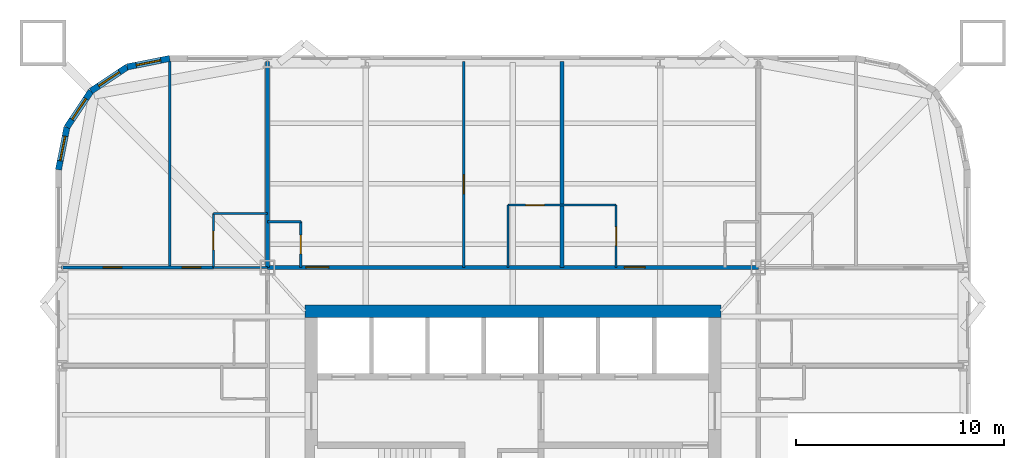
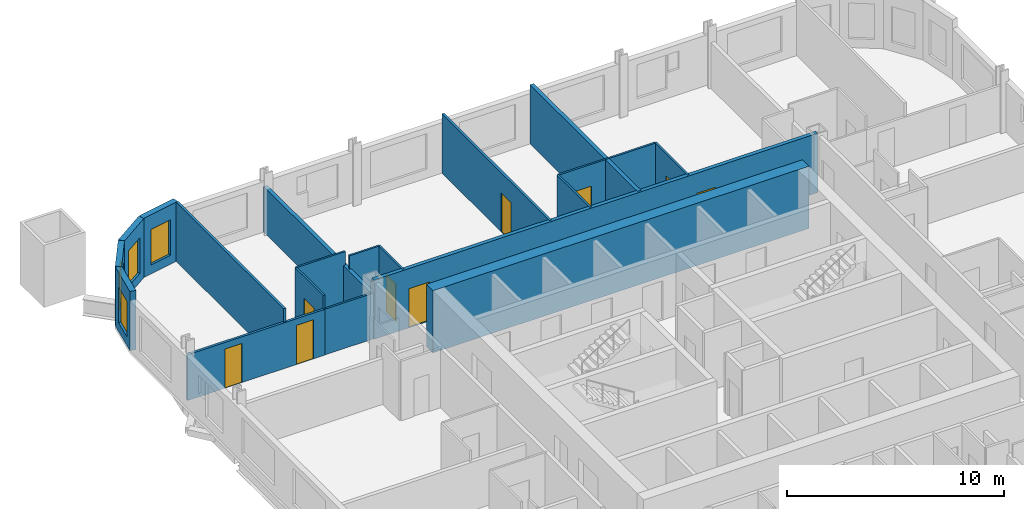
# One storey, part 7 of 10: 19 walls, 9 doors, 4 windows, 13 openings.
"""IFC4 building model written with IfcOpenShell, lengths in metres."""

from ifc_helpers import new_model, si_unit, direction, frame, frame_2d, origin, place, context, subcontext, project, spatial, rectangle, extrude, material, layer, layer_set, type_object, element, fill, save


model = new_model("IFC4")

# Units and contexts
model_context = context("Model", 3, precision=1e-05, world=origin(), true_north=direction((0.0, 1.0)))
body_context = subcontext(model_context, "Body", "Model", "MODEL_VIEW")
ifc_project = project(units=[si_unit("LENGTHUNIT", "METRE"), si_unit("AREAUNIT", "SQUARE_METRE"), si_unit("VOLUMEUNIT", "CUBIC_METRE"), si_unit("PLANEANGLEUNIT", "RADIAN"), si_unit("MASSUNIT", "GRAM", prefix="KILO")], contexts=[model_context])

# Site, building, storey
site_placement = place(None, origin())
site = spatial("IfcSite", under=ifc_project, at=site_placement, CompositionType="ELEMENT")
building_placement = place(site_placement, origin())
building = spatial("IfcBuilding", under=site, at=building_placement, Name="Turquesa Mirador Hotel Tower", CompositionType="ELEMENT")
storey_placement = place(building_placement, frame((0.0, 0.0, 70.5)))
storey = spatial("IfcBuildingStorey", under=building, at=storey_placement, Name="L18", CompositionType="ELEMENT", Elevation=70.5)

# Walls
ifc_material_1 = material(Name="Gypsum board on steel studs", Category="steel")
ifc_layer_1 = layer(ifc_material_1, 0.10009765625)
ifc_layer_set_1 = layer_set([ifc_layer_1], Name="BATHROOM WALL 100")
wall_type_1 = type_object("IfcWallType", Name="BATHROOM WALL 100", PredefinedType="PARTITIONING", material=ifc_layer_set_1)
wall_1_placement = place(storey_placement, frame((40.60009765625, 56.800048828125, 0.0), z_axis=(0.0, 0.0, 1.0), x_axis=(1.0, 0.0, 0.0)))
element("IfcWall", 1, at=wall_1_placement, inside=storey, type_object=wall_type_1, Name="Partition L18 024", PredefinedType="PARTITIONING", context=body_context, shape_type="SweptSolid", body=[
    extrude(rectangle(XDim=2.599853515625, YDim=0.10009765625, at=frame_2d((1.2998046875, 0.0))), origin(), (0.0, 0.0, 1.0), 2.572998046875),
])
wall_2_placement = place(storey_placement, frame((43.199951171875, 59.0, 0.0), z_axis=(0.0, 0.0, 1.0), x_axis=(1.0, 0.0, 0.0)))
element("IfcWall", 2, at=wall_2_placement, inside=storey, type_object=wall_type_1, Name="Partition L18 029", PredefinedType="PARTITIONING", context=body_context, shape_type="SweptSolid", body=[
    extrude(rectangle(XDim=1.60009765625, YDim=0.10009765625, at=frame_2d((0.800048828125, 0.0))), origin(), (0.0, 0.0, 1.0), 3.330078125),
])
wall_3_placement = place(storey_placement, frame((40.60009765625, 59.39990234375, 0.0), z_axis=(0.0, 0.0, 1.0), x_axis=(1.0, 0.0, 0.0)))
element("IfcWall", 3, at=wall_3_placement, inside=storey, type_object=wall_type_1, Name="Partition L18 031", PredefinedType="PARTITIONING", context=body_context, shape_type="SweptSolid", body=[
    extrude(rectangle(XDim=2.599853515625, YDim=0.10009765625, at=frame_2d((1.2998046875, 0.0))), origin(), (0.0, 0.0, 1.0), 3.330078125),
])

# Wall, opening, door
wall_4_placement = place(storey_placement, frame((54.760009765625, 59.800048828125, 0.0), z_axis=(0.0, 0.0, 1.0), x_axis=(1.0, 0.0, 0.0)))
wall_4 = element("IfcWall", 4, at=wall_4_placement, inside=storey, type_object=wall_type_1, Name="Partition L18 033", PredefinedType="PARTITIONING", context=body_context, shape_type="SweptSolid", body=[
    extrude(rectangle(XDim=5.199951171875, YDim=0.10009765625, at=frame_2d((2.60009765625, 0.0))), origin(), (0.0, 0.0, 1.0), 3.330078125),
])
opening_1_placement = place(wall_4_placement, frame((0.85009765625, 0.0, 0.0)))
opening_1 = element("IfcOpeningElement", 5, at=opening_1_placement, cuts=wall_4, Name="Opening D02", PredefinedType="OPENING", context=body_context, shape_type="SweptSolid", body=[
    extrude(rectangle(XDim=0.89990234375, YDim=2.10009765625, at=frame_2d((0.449951171875, 1.050048828125))), frame((0.0, 0.06005859375, 0.0), z_axis=(0.0, -1.0, 0.0), x_axis=(1.0, 0.0, 0.0)), (0.0, 0.0, 1.0), 0.1201171875),
])
ifc_material_2 = material(Name="Timber veneered door", Category="wood")
door_type_1 = type_object("IfcDoorType", Name="DOOR 900X2100 EN-SUITE", OperationType="SINGLE_SWING_RIGHT", PredefinedType="DOOR", material=ifc_material_2)
door_1_placement = place(opening_1_placement, origin())
door_1 = element("IfcDoor", 6, at=door_1_placement, inside=storey, type_object=door_type_1, Name="Door 1801B", OperationType="SINGLE_SWING_RIGHT", OverallHeight=2.10009765625, OverallWidth=0.89990234375, PredefinedType="DOOR", context=body_context, shape_type="SweptSolid", body=[
    extrude(rectangle(XDim=0.89990234375, YDim=2.10009765625, at=frame_2d((0.449951171875, 1.050048828125))), frame((0.0, 0.02490234375, 0.0), z_axis=(0.0, -1.0, 0.0), x_axis=(1.0, 0.0, 0.0)), (0.0, 0.0, 1.0), 0.050048828125),
])
fill(opening_1, door_1)

# Wall
wall_5_placement = place(storey_placement, frame((54.760009765625, 56.800048828125, 0.0), z_axis=(0.0, 0.0, 1.0), x_axis=(0.0, 1.0, 0.0)))
element("IfcWall", 7, at=wall_5_placement, inside=storey, type_object=wall_type_1, Name="Partition L18 040", PredefinedType="PARTITIONING", context=body_context, shape_type="SweptSolid", body=[
    extrude(rectangle(XDim=3.0, YDim=0.10009765625, at=frame_2d((1.5, 0.0))), origin(), (0.0, 0.0, 1.0), 3.330078125),
])

# Wall, opening, door
wall_6_placement = place(storey_placement, frame((44.800048828125, 56.800048828125, 0.0), z_axis=(0.0, 0.0, 1.0), x_axis=(0.0, 1.0, 0.0)))
wall_6 = element("IfcWall", 8, at=wall_6_placement, inside=storey, type_object=wall_type_1, Name="Partition L18 042", PredefinedType="PARTITIONING", context=body_context, shape_type="SweptSolid", body=[
    extrude(rectangle(XDim=2.199951171875, YDim=0.10009765625, at=frame_2d((1.10009765625, 0.0))), origin(), (0.0, 0.0, 1.0), 3.330078125),
])
opening_2_placement = place(wall_6_placement, frame((0.64990234375, 0.0, 0.0)))
opening_2 = element("IfcOpeningElement", 9, at=opening_2_placement, cuts=wall_6, Name="Opening D06", PredefinedType="OPENING", context=body_context, shape_type="SweptSolid", body=[
    extrude(rectangle(XDim=0.89990234375, YDim=2.10009765625, at=frame_2d((0.449951171875, 1.050048828125))), frame((0.0, 0.06005859375, 0.0), z_axis=(0.0, -1.0, 0.0), x_axis=(1.0, 0.0, 0.0)), (0.0, 0.0, 1.0), 0.1201171875),
])
ifc_material_3 = material(Name="Laminate door", Category="wood")
door_type_2 = type_object("IfcDoorType", Name="DOOR 900X2100 WC", OperationType="SINGLE_SWING_LEFT", PredefinedType="DOOR", material=ifc_material_3)
door_2_placement = place(opening_2_placement, origin())
door_2 = element("IfcDoor", 10, at=door_2_placement, inside=storey, type_object=door_type_2, Name="Door 1801W", OperationType="SINGLE_SWING_LEFT", OverallHeight=2.10009765625, OverallWidth=0.89990234375, PredefinedType="DOOR", context=body_context, shape_type="SweptSolid", body=[
    extrude(rectangle(XDim=0.89990234375, YDim=2.10009765625, at=frame_2d((0.449951171875, 1.050048828125))), frame((0.0, 0.02490234375, 0.0), z_axis=(0.0, -1.0, 0.0), x_axis=(1.0, 0.0, 0.0)), (0.0, 0.0, 1.0), 0.050048828125),
])
fill(opening_2, door_2)

wall_7_placement = place(storey_placement, frame((40.60009765625, 56.800048828125, 0.0), z_axis=(0.0, 0.0, 1.0), x_axis=(0.0, 1.0, 0.0)))
wall_7 = element("IfcWall", 11, at=wall_7_placement, inside=storey, type_object=wall_type_1, Name="Partition L18 049", PredefinedType="PARTITIONING", context=body_context, shape_type="SweptSolid", body=[
    extrude(rectangle(XDim=2.599853515625, YDim=0.10009765625, at=frame_2d((1.2998046875, 0.0))), origin(), (0.0, 0.0, 1.0), 3.330078125),
])
opening_3_placement = place(wall_7_placement, frame((0.85009765625, 0.0, 0.0)))
opening_3 = element("IfcOpeningElement", 12, at=opening_3_placement, cuts=wall_7, Name="Opening D02", PredefinedType="OPENING", context=body_context, shape_type="SweptSolid", body=[
    extrude(rectangle(XDim=0.89990234375, YDim=2.10009765625, at=frame_2d((0.449951171875, 1.050048828125))), frame((0.0, 0.06005859375, 0.0), z_axis=(0.0, -1.0, 0.0), x_axis=(1.0, 0.0, 0.0)), (0.0, 0.0, 1.0), 0.1201171875),
])
door_3_placement = place(opening_3_placement, origin())
door_3 = element("IfcDoor", 13, at=door_3_placement, inside=storey, type_object=door_type_1, Name="Door 1813B", OperationType="SINGLE_SWING_RIGHT", OverallHeight=2.10009765625, OverallWidth=0.89990234375, PredefinedType="DOOR", context=body_context, shape_type="SweptSolid", body=[
    extrude(rectangle(XDim=0.89990234375, YDim=2.10009765625, at=frame_2d((0.449951171875, 1.050048828125))), frame((0.0, 0.02490234375, 0.0), z_axis=(0.0, -1.0, 0.0), x_axis=(1.0, 0.0, 0.0)), (0.0, 0.0, 1.0), 0.050048828125),
])
fill(opening_3, door_3)

wall_8_placement = place(storey_placement, frame((59.9599609375, 56.800048828125, 0.0), z_axis=(0.0, 0.0, 1.0), x_axis=(0.0, 1.0, 0.0)))
wall_8 = element("IfcWall", 14, at=wall_8_placement, inside=storey, type_object=wall_type_1, Name="Partition L18 076", PredefinedType="PARTITIONING", context=body_context, shape_type="SweptSolid", body=[
    extrude(rectangle(XDim=3.0, YDim=0.10009765625, at=frame_2d((1.5, 0.0))), origin(), (0.0, 0.0, 1.0), 3.330078125),
])
opening_4_placement = place(wall_8_placement, frame((1.050048828125, 0.0, 0.0)))
opening_4 = element("IfcOpeningElement", 15, at=opening_4_placement, cuts=wall_8, Name="Opening D02", PredefinedType="OPENING", context=body_context, shape_type="SweptSolid", body=[
    extrude(rectangle(XDim=0.89990234375, YDim=2.10009765625, at=frame_2d((0.449951171875, 1.050048828125))), frame((0.0, 0.06005859375, 0.0), z_axis=(0.0, -1.0, 0.0), x_axis=(1.0, 0.0, 0.0)), (0.0, 0.0, 1.0), 0.1201171875),
])
door_4_placement = place(opening_4_placement, origin())
door_4 = element("IfcDoor", 16, at=door_4_placement, inside=storey, type_object=door_type_1, Name="Door 1802B", OperationType="SINGLE_SWING_RIGHT", OverallHeight=2.10009765625, OverallWidth=0.89990234375, PredefinedType="DOOR", context=body_context, shape_type="SweptSolid", body=[
    extrude(rectangle(XDim=0.89990234375, YDim=2.10009765625, at=frame_2d((0.449951171875, 1.050048828125))), frame((0.0, 0.02490234375, 0.0), z_axis=(0.0, -1.0, 0.0), x_axis=(1.0, 0.0, 0.0)), (0.0, 0.0, 1.0), 0.050048828125),
])
fill(opening_4, door_4)

# Wall
ifc_material_4 = material(Name="Concrete C50/60", Category="concrete")
ifc_layer_2 = layer(ifc_material_4, 0.60009765625)
ifc_layer_set_2 = layer_set([ifc_layer_2], Name="CORE WALL 600")
wall_type_2 = type_object("IfcWallType", Name="CORE WALL 600", PredefinedType="SHEAR", material=ifc_layer_set_2)
wall_9_placement = place(storey_placement, frame((45.0, 54.699951171875, 0.0), z_axis=(0.0, 0.0, 1.0), x_axis=(1.0, 0.0, 0.0)))
element("IfcWall", 17, at=wall_9_placement, inside=storey, type_object=wall_type_2, Name="Core wall N", PredefinedType="SHEAR", context=body_context, shape_type="SweptSolid", body=[
    extrude(rectangle(XDim=20.0, YDim=0.60009765625, at=frame_2d((10.0, 0.0))), origin(), (0.0, 0.0, 1.0), 3.5),
])

# Wall, openings, doors
ifc_material_5 = material(Name="Fire-rated gypsum board on steel studs", Category="steel")
ifc_layer_3 = layer(ifc_material_5, 0.199951171875)
ifc_layer_set_3 = layer_set([ifc_layer_3], Name="CORRIDOR WALL 200")
wall_type_3 = type_object("IfcWallType", Name="CORRIDOR WALL 200", PredefinedType="PARTITIONING", material=ifc_layer_set_3)
wall_10_placement = place(storey_placement, frame((43.199951171875, 56.800048828125, 0.0), z_axis=(0.0, 0.0, 1.0), x_axis=(1.0, 0.0, 0.0)))
wall_10 = element("IfcWall", 18, at=wall_10_placement, inside=storey, type_object=wall_type_3, Name="Partition L18 026", PredefinedType="PARTITIONING", context=body_context, shape_type="SweptSolid", body=[
    extrude(rectangle(XDim=23.60009765625, YDim=0.199951171875, at=frame_2d((11.800048828125, 0.0))), origin(), (0.0, 0.0, 1.0), 3.330078125),
])
opening_5_placement = place(wall_10_placement, frame((1.85009765625, 0.0, 0.0)))
opening_5 = element("IfcOpeningElement", 19, at=opening_5_placement, cuts=wall_10, Name="Opening D15", PredefinedType="OPENING", context=body_context, shape_type="SweptSolid", body=[
    extrude(rectangle(XDim=1.10009765625, YDim=2.199951171875, at=frame_2d((0.550048828125, 1.10009765625))), frame((0.0, 0.10986328125, 0.0), z_axis=(0.0, -1.0, 0.0), x_axis=(1.0, 0.0, 0.0)), (0.0, 0.0, 1.0), 0.219970703125),
])
opening_6_placement = place(wall_10_placement, frame((17.159912109375, 0.0, 0.0)))
opening_6 = element("IfcOpeningElement", 20, at=opening_6_placement, cuts=wall_10, Name="Opening D01", PredefinedType="OPENING", context=body_context, shape_type="SweptSolid", body=[
    extrude(rectangle(XDim=1.0, YDim=2.199951171875, at=frame_2d((0.5, 1.10009765625))), frame((0.0, 0.10986328125, 0.0), z_axis=(0.0, -1.0, 0.0), x_axis=(1.0, 0.0, 0.0)), (0.0, 0.0, 1.0), 0.219970703125),
])
ifc_material_6 = material(Name="Timber veneered fire door", Category="wood")
door_type_3 = type_object("IfcDoorType", Name="DOOR 1000X2200 GUEST ENTRY", OperationType="SINGLE_SWING_LEFT", PredefinedType="DOOR", material=ifc_material_6)
door_5_placement = place(opening_6_placement, origin())
door_5 = element("IfcDoor", 21, at=door_5_placement, inside=storey, type_object=door_type_3, Name="Door 1802", OperationType="SINGLE_SWING_LEFT", OverallHeight=2.199951171875, OverallWidth=1.0, PredefinedType="DOOR", context=body_context, shape_type="SweptSolid", body=[
    extrude(rectangle(XDim=1.0, YDim=2.199951171875, at=frame_2d((0.5, 1.10009765625))), frame((0.0, 0.02490234375, 0.0), z_axis=(0.0, -1.0, 0.0), x_axis=(1.0, 0.0, 0.0)), (0.0, 0.0, 1.0), 0.050048828125),
])
fill(opening_6, door_5)
ifc_material_7 = material(Name="Timber veneered fire door", Category="wood")
door_type_4 = type_object("IfcDoorType", Name="DOOR 1100X2200 SUITE ENTRY", OperationType="SINGLE_SWING_LEFT", PredefinedType="DOOR", material=ifc_material_7)
door_6_placement = place(opening_5_placement, origin())
door_6 = element("IfcDoor", 22, at=door_6_placement, inside=storey, type_object=door_type_4, Name="Door 1801", OperationType="SINGLE_SWING_LEFT", OverallHeight=2.199951171875, OverallWidth=1.10009765625, PredefinedType="DOOR", context=body_context, shape_type="SweptSolid", body=[
    extrude(rectangle(XDim=1.10009765625, YDim=2.199951171875, at=frame_2d((0.550048828125, 1.10009765625))), frame((0.0, 0.02490234375, 0.0), z_axis=(0.0, -1.0, 0.0), x_axis=(1.0, 0.0, 0.0)), (0.0, 0.0, 1.0), 0.050048828125),
])
fill(opening_5, door_6)

# Wall, opening, window
ifc_material_8 = material(Name="Limestone cladding on concrete block", Category="masonry")
ifc_layer_4 = layer(ifc_material_8, 0.300048828125)
ifc_layer_set_4 = layer_set([ifc_layer_4], Name="FACADE WALL 300 STONE SCREEN")
wall_type_4 = type_object("IfcWallType", Name="FACADE WALL 300 STONE SCREEN", PredefinedType="SOLIDWALL", material=ifc_layer_set_4)
wall_11_placement = place(storey_placement, frame((38.5, 66.85009765625, 0.0), z_axis=(0.0, 0.0, 1.0), x_axis=(-0.980787050784, -0.195081421501, 0.0)))
wall_11 = element("IfcWall", 23, at=wall_11_placement, inside=storey, type_object=wall_type_4, Name="Facade wall L18 10", PredefinedType="SOLIDWALL", context=body_context, shape_type="SweptSolid", body=[
    extrude(rectangle(XDim=2.08740234375, YDim=0.300048828125, at=frame_2d((1.043701171875, 0.0))), origin(), (0.0, 0.0, 1.0), 3.330078125),
])
opening_7_placement = place(wall_11_placement, frame((0.443603515625, 0.0, 0.5)))
opening_7 = element("IfcOpeningElement", 24, at=opening_7_placement, cuts=wall_11, Name="Opening WN4", PredefinedType="OPENING", context=body_context, shape_type="SweptSolid", body=[
    extrude(rectangle(XDim=1.199951171875, YDim=2.0, at=frame_2d((0.60009765625, 1.0))), frame((0.0, 0.159912109375, 0.0), z_axis=(0.0, -1.0, 0.0), x_axis=(1.0, 0.0, 0.0)), (0.0, 0.0, 1.0), 0.320068359375),
])
ifc_material_9 = material(Name="Ceramic-fritted laminated glass", Category="glass")
window_type = type_object("IfcWindowType", Name="FRITTED CORNER WINDOW 1200X2000", PartitioningType="DOUBLE_PANEL_HORIZONTAL", PredefinedType="WINDOW", material=ifc_material_9)
window_1_placement = place(opening_7_placement, origin())
window_1 = element("IfcWindow", 25, at=window_1_placement, inside=storey, type_object=window_type, Name="Window L18", OverallHeight=2.0, OverallWidth=1.199951171875, PartitioningType="SINGLE_PANEL", PredefinedType="WINDOW", context=body_context, shape_type="SweptSolid", body=[
    extrude(rectangle(XDim=1.199951171875, YDim=2.0, at=frame_2d((0.60009765625, 1.0))), frame((0.0, 0.030029296875, 0.0), z_axis=(0.0, -1.0, 0.0), x_axis=(1.0, 0.0, 0.0)), (0.0, 0.0, 1.0), 0.06005859375),
])
fill(opening_7, window_1)

wall_12_placement = place(storey_placement, frame((36.45263671875, 66.44287109375, 0.0), z_axis=(0.0, 0.0, 1.0), x_axis=(-0.831420010345, -0.555644460423, 0.0)))
wall_12 = element("IfcWall", 26, at=wall_12_placement, inside=storey, type_object=wall_type_4, Name="Facade wall L18 11", PredefinedType="SOLIDWALL", context=body_context, shape_type="SweptSolid", body=[
    extrude(rectangle(XDim=2.08740234375, YDim=0.300048828125, at=frame_2d((1.043701171875, 0.0))), origin(), (0.0, 0.0, 1.0), 3.330078125),
])
opening_8_placement = place(wall_12_placement, frame((0.443603515625, 0.0, 0.5)))
opening_8 = element("IfcOpeningElement", 27, at=opening_8_placement, cuts=wall_12, Name="Opening WN4", PredefinedType="OPENING", context=body_context, shape_type="SweptSolid", body=[
    extrude(rectangle(XDim=1.199951171875, YDim=2.0, at=frame_2d((0.60009765625, 1.0))), frame((0.0, 0.159912109375, 0.0), z_axis=(0.0, -1.0, 0.0), x_axis=(1.0, 0.0, 0.0)), (0.0, 0.0, 1.0), 0.320068359375),
])
window_2_placement = place(opening_8_placement, origin())
window_2 = element("IfcWindow", 28, at=window_2_placement, inside=storey, type_object=window_type, Name="Window L18", OverallHeight=2.0, OverallWidth=1.199951171875, PartitioningType="SINGLE_PANEL", PredefinedType="WINDOW", context=body_context, shape_type="SweptSolid", body=[
    extrude(rectangle(XDim=1.199951171875, YDim=2.0, at=frame_2d((0.60009765625, 1.0))), frame((0.0, 0.030029296875, 0.0), z_axis=(0.0, -1.0, 0.0), x_axis=(1.0, 0.0, 0.0)), (0.0, 0.0, 1.0), 0.06005859375),
])
fill(opening_8, window_2)

wall_13_placement = place(storey_placement, frame((34.717041015625, 65.282958984375, 0.0), z_axis=(0.0, 0.0, 1.0), x_axis=(-0.555644460423, -0.831420010345, 0.0)))
wall_13 = element("IfcWall", 29, at=wall_13_placement, inside=storey, type_object=wall_type_4, Name="Facade wall L18 12", PredefinedType="SOLIDWALL", context=body_context, shape_type="SweptSolid", body=[
    extrude(rectangle(XDim=2.08740234375, YDim=0.300048828125, at=frame_2d((1.043701171875, 0.0))), origin(), (0.0, 0.0, 1.0), 3.330078125),
])
opening_9_placement = place(wall_13_placement, frame((0.443603515625, 0.0, 0.5)))
opening_9 = element("IfcOpeningElement", 30, at=opening_9_placement, cuts=wall_13, Name="Opening WN4", PredefinedType="OPENING", context=body_context, shape_type="SweptSolid", body=[
    extrude(rectangle(XDim=1.199951171875, YDim=2.0, at=frame_2d((0.60009765625, 1.0))), frame((0.0, 0.159912109375, 0.0), z_axis=(0.0, -1.0, 0.0), x_axis=(1.0, 0.0, 0.0)), (0.0, 0.0, 1.0), 0.320068359375),
])
window_3_placement = place(opening_9_placement, origin())
window_3 = element("IfcWindow", 31, at=window_3_placement, inside=storey, type_object=window_type, Name="Window L18", OverallHeight=2.0, OverallWidth=1.199951171875, PartitioningType="SINGLE_PANEL", PredefinedType="WINDOW", context=body_context, shape_type="SweptSolid", body=[
    extrude(rectangle(XDim=1.199951171875, YDim=2.0, at=frame_2d((0.60009765625, 1.0))), frame((0.0, 0.030029296875, 0.0), z_axis=(0.0, -1.0, 0.0), x_axis=(1.0, 0.0, 0.0)), (0.0, 0.0, 1.0), 0.06005859375),
])
fill(opening_9, window_3)

wall_14_placement = place(storey_placement, frame((33.55712890625, 63.54736328125, 0.0), z_axis=(0.0, 0.0, 1.0), x_axis=(-0.195081421501, -0.980787050784, 0.0)))
wall_14 = element("IfcWall", 32, at=wall_14_placement, inside=storey, type_object=wall_type_4, Name="Facade wall L18 13", PredefinedType="SOLIDWALL", context=body_context, shape_type="SweptSolid", body=[
    extrude(rectangle(XDim=2.08740234375, YDim=0.300048828125, at=frame_2d((1.043701171875, 0.0))), origin(), (0.0, 0.0, 1.0), 3.330078125),
])
opening_10_placement = place(wall_14_placement, frame((0.443603515625, 0.0, 0.5)))
opening_10 = element("IfcOpeningElement", 33, at=opening_10_placement, cuts=wall_14, Name="Opening WN4", PredefinedType="OPENING", context=body_context, shape_type="SweptSolid", body=[
    extrude(rectangle(XDim=1.199951171875, YDim=2.0, at=frame_2d((0.60009765625, 1.0))), frame((0.0, 0.159912109375, 0.0), z_axis=(0.0, -1.0, 0.0), x_axis=(1.0, 0.0, 0.0)), (0.0, 0.0, 1.0), 0.320068359375),
])
window_4_placement = place(opening_10_placement, origin())
window_4 = element("IfcWindow", 34, at=window_4_placement, inside=storey, type_object=window_type, Name="Window L18", OverallHeight=2.0, OverallWidth=1.199951171875, PartitioningType="SINGLE_PANEL", PredefinedType="WINDOW", context=body_context, shape_type="SweptSolid", body=[
    extrude(rectangle(XDim=1.199951171875, YDim=2.0, at=frame_2d((0.60009765625, 1.0))), frame((0.0, 0.030029296875, 0.0), z_axis=(0.0, -1.0, 0.0), x_axis=(1.0, 0.0, 0.0)), (0.0, 0.0, 1.0), 0.06005859375),
])
fill(opening_10, window_4)

# Walls
ifc_material_10 = material(Name="Fire-rated gypsum board on steel studs", Category="steel")
ifc_layer_5 = layer(ifc_material_10, 0.199951171875)
ifc_layer_set_5 = layer_set([ifc_layer_5], Name="PARTY WALL 200")
wall_type_5 = type_object("IfcWallType", Name="PARTY WALL 200", PredefinedType="PARTITIONING", material=ifc_layer_set_5)
wall_15_placement = place(storey_placement, frame((43.199951171875, 56.800048828125, 0.0), z_axis=(0.0, 0.0, 1.0), x_axis=(0.0, 1.0, 0.0)))
element("IfcWall", 35, at=wall_15_placement, inside=storey, type_object=wall_type_5, Name="Partition L18 045", PredefinedType="PARTITIONING", context=body_context, shape_type="SweptSolid", body=[
    extrude(rectangle(XDim=9.89990234375, YDim=0.199951171875, at=frame_2d((4.949951171875, 0.0))), origin(), (0.0, 0.0, 1.0), 2.572998046875),
])
wall_16_placement = place(storey_placement, frame((57.360107421875, 56.800048828125, 0.0), z_axis=(0.0, 0.0, 1.0), x_axis=(0.0, 1.0, 0.0)))
element("IfcWall", 36, at=wall_16_placement, inside=storey, type_object=wall_type_5, Name="Partition L18 074", PredefinedType="PARTITIONING", context=body_context, shape_type="SweptSolid", body=[
    extrude(rectangle(XDim=9.89990234375, YDim=0.199951171875, at=frame_2d((4.949951171875, 0.0))), origin(), (0.0, 0.0, 1.0), 3.330078125),
])

# Wall, openings, doors
ifc_material_11 = material(Name="Acoustic gypsum board on steel studs", Category="steel")
ifc_layer_6 = layer(ifc_material_11, 0.125)
ifc_layer_set_6 = layer_set([ifc_layer_6], Name="SUITE PARTITION 125")
wall_type_6 = type_object("IfcWallType", Name="SUITE PARTITION 125", PredefinedType="PARTITIONING", material=ifc_layer_set_6)
wall_17_placement = place(storey_placement, frame((33.300048828125, 56.800048828125, 0.0), z_axis=(0.0, 0.0, 1.0), x_axis=(1.0, 0.0, 0.0)))
wall_17 = element("IfcWall", 37, at=wall_17_placement, inside=storey, type_object=wall_type_6, Name="Partition L18 027", PredefinedType="PARTITIONING", context=body_context, shape_type="SweptSolid", body=[
    extrude(rectangle(XDim=7.300048828125, YDim=0.125, at=frame_2d((3.64990234375, 0.0))), origin(), (0.0, 0.0, 1.0), 2.572998046875),
])
opening_11_placement = place(wall_17_placement, frame((5.800048828125, 0.0, 0.0)))
opening_11 = element("IfcOpeningElement", 38, at=opening_11_placement, cuts=wall_17, Name="Opening D17", PredefinedType="OPENING", context=body_context, shape_type="SweptSolid", body=[
    extrude(rectangle(XDim=0.89990234375, YDim=2.199951171875, at=frame_2d((0.449951171875, 1.10009765625))), frame((0.0, 0.072509765625, 0.0), z_axis=(0.0, -1.0, 0.0), x_axis=(1.0, 0.0, 0.0)), (0.0, 0.0, 1.0), 0.14501953125),
])
opening_12_placement = place(wall_17_placement, frame((2.0, 0.0, 0.0)))
opening_12 = element("IfcOpeningElement", 39, at=opening_12_placement, cuts=wall_17, Name="Opening D17", PredefinedType="OPENING", context=body_context, shape_type="SweptSolid", body=[
    extrude(rectangle(XDim=0.89990234375, YDim=2.199951171875, at=frame_2d((0.449951171875, 1.10009765625))), frame((0.0, 0.072509765625, 0.0), z_axis=(0.0, -1.0, 0.0), x_axis=(1.0, 0.0, 0.0)), (0.0, 0.0, 1.0), 0.14501953125),
])
ifc_material_12 = material(Name="Timber veneered door", Category="wood")
door_type_5 = type_object("IfcDoorType", Name="DOOR 900X2200 SUITE INTERNAL", OperationType="SINGLE_SWING_LEFT", PredefinedType="DOOR", material=ifc_material_12)
door_7_placement = place(opening_11_placement, origin())
door_7 = element("IfcDoor", 40, at=door_7_placement, inside=storey, type_object=door_type_5, Name="Door 1813R", OperationType="SINGLE_SWING_LEFT", OverallHeight=2.199951171875, OverallWidth=0.89990234375, PredefinedType="DOOR", context=body_context, shape_type="SweptSolid", body=[
    extrude(rectangle(XDim=0.89990234375, YDim=2.199951171875, at=frame_2d((0.449951171875, 1.10009765625))), frame((0.0, 0.02490234375, 0.0), z_axis=(0.0, -1.0, 0.0), x_axis=(1.0, 0.0, 0.0)), (0.0, 0.0, 1.0), 0.050048828125),
])
fill(opening_11, door_7)
door_8_placement = place(opening_12_placement, origin())
door_8 = element("IfcDoor", 41, at=door_8_placement, inside=storey, type_object=door_type_5, Name="Door 1813S", OperationType="SINGLE_SWING_LEFT", OverallHeight=2.199951171875, OverallWidth=0.89990234375, PredefinedType="DOOR", context=body_context, shape_type="SweptSolid", body=[
    extrude(rectangle(XDim=0.89990234375, YDim=2.199951171875, at=frame_2d((0.449951171875, 1.10009765625))), frame((0.0, 0.02490234375, 0.0), z_axis=(0.0, -1.0, 0.0), x_axis=(1.0, 0.0, 0.0)), (0.0, 0.0, 1.0), 0.050048828125),
])
fill(opening_12, door_8)

# Wall
wall_18_placement = place(storey_placement, frame((38.5, 56.800048828125, 0.0), z_axis=(0.0, 0.0, 1.0), x_axis=(0.0, 1.0, 0.0)))
element("IfcWall", 42, at=wall_18_placement, inside=storey, type_object=wall_type_6, Name="Partition L18 053", PredefinedType="PARTITIONING", context=body_context, shape_type="SweptSolid", body=[
    extrude(rectangle(XDim=9.89404296875, YDim=0.125, at=frame_2d((4.947021484375, 0.0))), origin(), (0.0, 0.0, 1.0), 3.330078125),
])

# Wall, opening, door
wall_19_placement = place(storey_placement, frame((52.639892578125, 56.800048828125, 0.0), z_axis=(0.0, 0.0, 1.0), x_axis=(0.0, 1.0, 0.0)))
wall_19 = element("IfcWall", 43, at=wall_19_placement, inside=storey, type_object=wall_type_6, Name="Partition L18 055", PredefinedType="PARTITIONING", context=body_context, shape_type="SweptSolid", body=[
    extrude(rectangle(XDim=9.89990234375, YDim=0.125, at=frame_2d((4.949951171875, 0.0))), origin(), (0.0, 0.0, 1.0), 3.330078125),
])
opening_13_placement = place(wall_19_placement, frame((3.550048828125, 0.0, 0.0)))
opening_13 = element("IfcOpeningElement", 44, at=opening_13_placement, cuts=wall_19, Name="Opening D17", PredefinedType="OPENING", context=body_context, shape_type="SweptSolid", body=[
    extrude(rectangle(XDim=0.89990234375, YDim=2.199951171875, at=frame_2d((0.449951171875, 1.10009765625))), frame((0.0, 0.072509765625, 0.0), z_axis=(0.0, -1.0, 0.0), x_axis=(1.0, 0.0, 0.0)), (0.0, 0.0, 1.0), 0.14501953125),
])
door_9_placement = place(opening_13_placement, origin())
door_9 = element("IfcDoor", 45, at=door_9_placement, inside=storey, type_object=door_type_5, Name="Door 1801R", OperationType="SINGLE_SWING_LEFT", OverallHeight=2.199951171875, OverallWidth=0.89990234375, PredefinedType="DOOR", context=body_context, shape_type="SweptSolid", body=[
    extrude(rectangle(XDim=0.89990234375, YDim=2.199951171875, at=frame_2d((0.449951171875, 1.10009765625))), frame((0.0, 0.02490234375, 0.0), z_axis=(0.0, -1.0, 0.0), x_axis=(1.0, 0.0, 0.0)), (0.0, 0.0, 1.0), 0.050048828125),
])
fill(opening_13, door_9)

save(model, "model.ifc")
